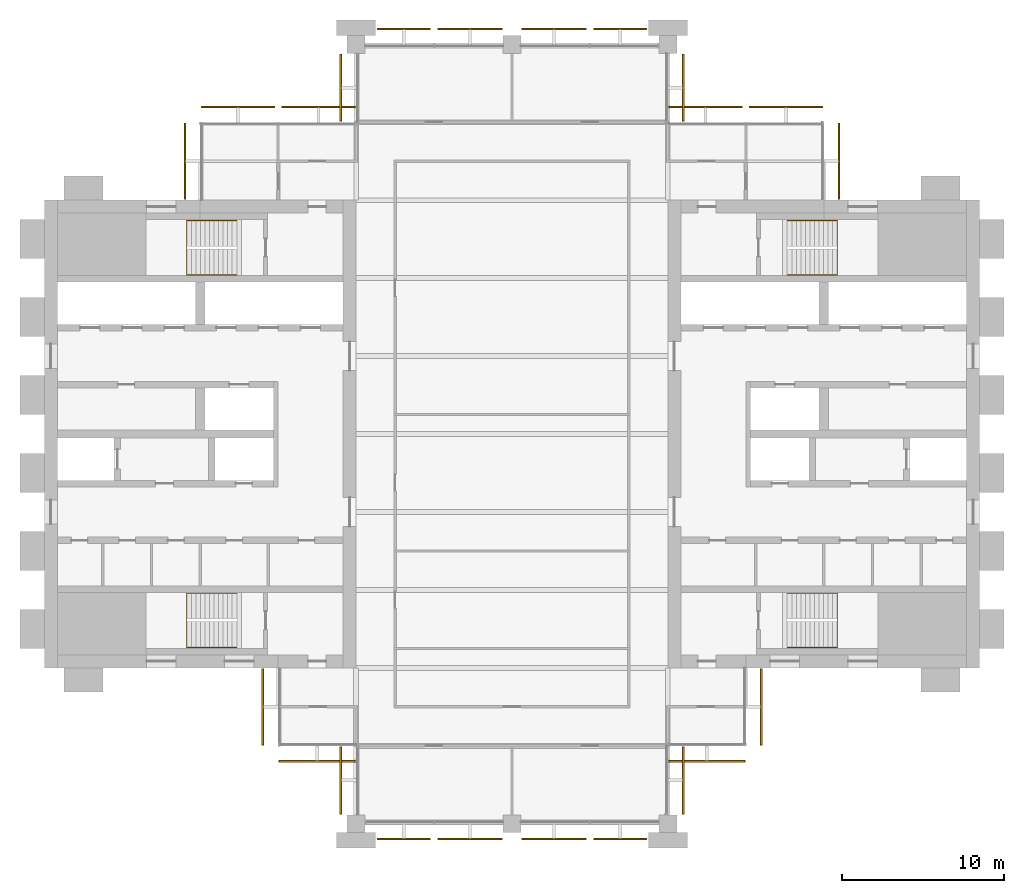
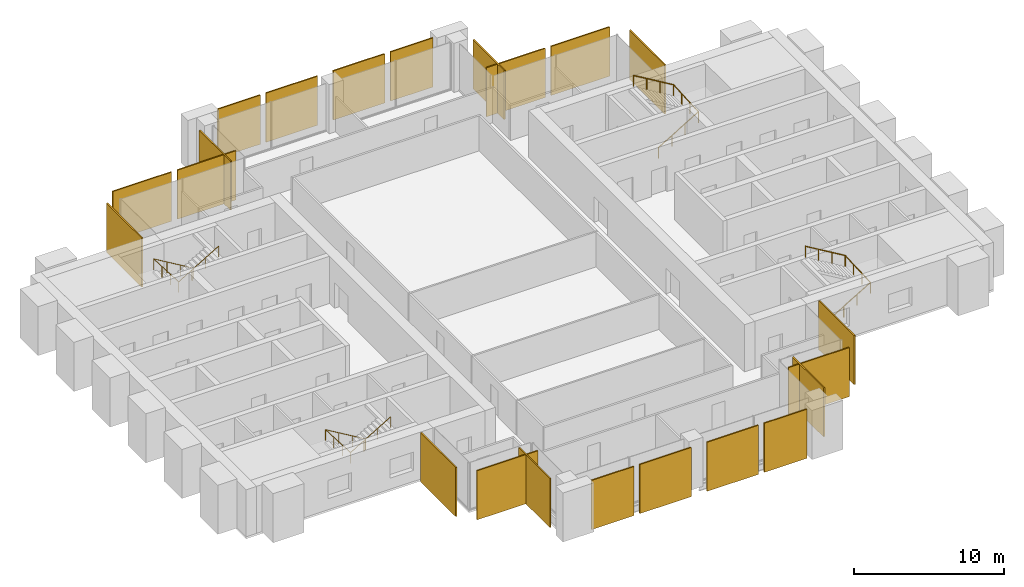
# One storey, part 13 of 13: 22 coverings, 4 railings.
"""IFC4 building model written with IfcOpenShell, lengths in metres."""

from ifc_helpers import new_model, si_unit, direction, frame, origin, origin_2d, place, context, subcontext, project, spatial, polyline, circle, outline, extrude, material, layer, layer_set, type_object, element, save


model = new_model("IFC4")

# Units and contexts
model_context = context("Model", 3, precision=1e-05, world=origin(), true_north=direction((0.0, 1.0)))
body_context = subcontext(model_context, "Body", "Model", "MODEL_VIEW")
ifc_project = project(units=[si_unit("LENGTHUNIT", "METRE"), si_unit("AREAUNIT", "SQUARE_METRE"), si_unit("VOLUMEUNIT", "CUBIC_METRE"), si_unit("PLANEANGLEUNIT", "RADIAN"), si_unit("MASSUNIT", "GRAM", prefix="KILO")], contexts=[model_context])

# Site, building, storey
site_placement = place(None, origin())
site = spatial("IfcSite", under=ifc_project, at=site_placement, CompositionType="ELEMENT")
building_placement = place(site_placement, origin())
building = spatial("IfcBuilding", under=site, at=building_placement, Name="Baori Bourse Tower", CompositionType="ELEMENT")
storey_placement = place(building_placement, frame((0.0, 0.0, 253.199951171875)))
storey = spatial("IfcBuildingStorey", under=building, at=storey_placement, Name="L56", CompositionType="ELEMENT", Elevation=253.199951171875)

# Railings
ifc_material_1 = material(Name="Powder-coated steel balustrade", Category="steel")
railing_type = type_object("IfcRailingType", Name="Core stair handrail", PredefinedType="HANDRAIL", material=ifc_material_1)
railing_1_placement = place(storey_placement, frame((11.85009765625, 14.199951171875, 0.166748046875)))
element("IfcRailing", 1, at=railing_1_placement, inside=storey, type_object=railing_type, Name="L56 ST1 stair handrail 1", PredefinedType="HANDRAIL", context=body_context, shape_type="SweptSolid", body=[
    extrude(circle(Radius=0.02392578125, at=origin_2d()), frame((0.0, 0.0, 0.8759765625), z_axis=(-0.859308565015, 0.0, 0.511457515432), x_axis=(0.0, -1.0, 0.0)), (0.0, 0.0, 1.0), 3.58447265625),
    extrude(circle(Radius=0.02392578125, at=origin_2d()), frame((-3.080078125, 0.0, 2.708984375), z_axis=(0.0, -0.998763387249, 0.04971615724), x_axis=(1.0, 0.0, 0.0)), (0.0, 0.0, 1.0), 3.35400390625),
    extrude(circle(Radius=0.02392578125, at=origin_2d()), frame((-3.080078125, -3.349853515625, 2.8759765625), z_axis=(0.859308565015, 0.0, 0.511457515432), x_axis=(0.0, 1.0, 0.0)), (0.0, 0.0, 1.0), 3.58447265625),
    extrude(circle(Radius=0.02099609375, at=origin_2d()), origin(), (0.0, 0.0, 1.0), 0.851806640625),
    extrude(circle(Radius=0.02099609375, at=origin_2d()), frame((-1.026611328125, 0.0, 0.611083984375)), (0.0, 0.0, 1.0), 0.851806640625),
    extrude(circle(Radius=0.02099609375, at=origin_2d()), frame((-2.053466796875, 0.0, 1.22216796875)), (0.0, 0.0, 1.0), 0.851806640625),
    extrude(circle(Radius=0.02099609375, at=origin_2d()), frame((-3.080078125, 0.0, 1.833251953125)), (0.0, 0.0, 1.0), 0.851806640625),
    extrude(circle(Radius=0.02099609375, at=origin_2d()), frame((-3.080078125, -1.11669921875, 1.888916015625)), (0.0, 0.0, 1.0), 0.851806640625),
    extrude(circle(Radius=0.02099609375, at=origin_2d()), frame((-3.080078125, -2.233154296875, 1.9443359375)), (0.0, 0.0, 1.0), 0.851806640625),
    extrude(circle(Radius=0.02099609375, at=origin_2d()), frame((-3.080078125, -3.349853515625, 2.0)), (0.0, 0.0, 1.0), 0.851806640625),
    extrude(circle(Radius=0.02099609375, at=origin_2d()), frame((-2.053466796875, -3.349853515625, 2.611083984375)), (0.0, 0.0, 1.0), 0.851806640625),
    extrude(circle(Radius=0.02099609375, at=origin_2d()), frame((-1.026611328125, -3.349853515625, 3.22216796875)), (0.0, 0.0, 1.0), 0.851806640625),
    extrude(circle(Radius=0.02099609375, at=origin_2d()), frame((0.0, -3.349853515625, 3.833251953125)), (0.0, 0.0, 1.0), 0.851806640625),
])
railing_2_placement = place(storey_placement, frame((11.85009765625, 37.14990234375, 0.166748046875)))
element("IfcRailing", 2, at=railing_2_placement, inside=storey, type_object=railing_type, Name="L56 ST2 stair handrail 1", PredefinedType="HANDRAIL", context=body_context, shape_type="SweptSolid", body=[
    extrude(circle(Radius=0.02392578125, at=origin_2d()), frame((0.0, 0.0, 0.8759765625), z_axis=(-0.859308565015, 0.0, 0.511457515432), x_axis=(0.0, -1.0, 0.0)), (0.0, 0.0, 1.0), 3.58447265625),
    extrude(circle(Radius=0.02392578125, at=origin_2d()), frame((-3.080078125, 0.0, 2.708984375), z_axis=(0.0, -0.998763387249, 0.04971615724), x_axis=(1.0, 0.0, 0.0)), (0.0, 0.0, 1.0), 3.35400390625),
    extrude(circle(Radius=0.02392578125, at=origin_2d()), frame((-3.080078125, -3.349853515625, 2.8759765625), z_axis=(0.859308565015, 0.0, 0.511457515432), x_axis=(0.0, 1.0, 0.0)), (0.0, 0.0, 1.0), 3.58447265625),
    extrude(circle(Radius=0.02099609375, at=origin_2d()), origin(), (0.0, 0.0, 1.0), 0.851806640625),
    extrude(circle(Radius=0.02099609375, at=origin_2d()), frame((-1.026611328125, 0.0, 0.611083984375)), (0.0, 0.0, 1.0), 0.851806640625),
    extrude(circle(Radius=0.02099609375, at=origin_2d()), frame((-2.053466796875, 0.0, 1.22216796875)), (0.0, 0.0, 1.0), 0.851806640625),
    extrude(circle(Radius=0.02099609375, at=origin_2d()), frame((-3.080078125, 0.0, 1.833251953125)), (0.0, 0.0, 1.0), 0.851806640625),
    extrude(circle(Radius=0.02099609375, at=origin_2d()), frame((-3.080078125, -1.11669921875, 1.888916015625)), (0.0, 0.0, 1.0), 0.851806640625),
    extrude(circle(Radius=0.02099609375, at=origin_2d()), frame((-3.080078125, -2.233154296875, 1.9443359375)), (0.0, 0.0, 1.0), 0.851806640625),
    extrude(circle(Radius=0.02099609375, at=origin_2d()), frame((-3.080078125, -3.349853515625, 2.0)), (0.0, 0.0, 1.0), 0.851806640625),
    extrude(circle(Radius=0.02099609375, at=origin_2d()), frame((-2.053466796875, -3.349853515625, 2.611083984375)), (0.0, 0.0, 1.0), 0.851806640625),
    extrude(circle(Radius=0.02099609375, at=origin_2d()), frame((-1.026611328125, -3.349853515625, 3.22216796875)), (0.0, 0.0, 1.0), 0.851806640625),
    extrude(circle(Radius=0.02099609375, at=origin_2d()), frame((0.0, -3.349853515625, 3.833251953125)), (0.0, 0.0, 1.0), 0.851806640625),
])
railing_3_placement = place(storey_placement, frame((45.75, 10.85009765625, 0.166748046875)))
element("IfcRailing", 3, at=railing_3_placement, inside=storey, type_object=railing_type, Name="L56 ST3 stair handrail 1", PredefinedType="HANDRAIL", context=body_context, shape_type="SweptSolid", body=[
    extrude(circle(Radius=0.02392578125, at=origin_2d()), frame((0.0, 0.0, 0.8759765625), z_axis=(0.859308565015, 0.0, 0.511457515432), x_axis=(0.0, 1.0, 0.0)), (0.0, 0.0, 1.0), 3.58447265625),
    extrude(circle(Radius=0.02392578125, at=origin_2d()), frame((3.080078125, 0.0, 2.708984375), z_axis=(0.0, 0.998763387249, 0.04971615724), x_axis=(-1.0, 0.0, 0.0)), (0.0, 0.0, 1.0), 3.35400390625),
    extrude(circle(Radius=0.02392578125, at=origin_2d()), frame((3.080078125, 3.349853515625, 2.8759765625), z_axis=(-0.859308565015, 0.0, 0.511457515432), x_axis=(0.0, -1.0, 0.0)), (0.0, 0.0, 1.0), 3.58447265625),
    extrude(circle(Radius=0.02099609375, at=origin_2d()), origin(), (0.0, 0.0, 1.0), 0.851806640625),
    extrude(circle(Radius=0.02099609375, at=origin_2d()), frame((1.026611328125, 0.0, 0.611083984375)), (0.0, 0.0, 1.0), 0.851806640625),
    extrude(circle(Radius=0.02099609375, at=origin_2d()), frame((2.053466796875, 0.0, 1.22216796875)), (0.0, 0.0, 1.0), 0.851806640625),
    extrude(circle(Radius=0.02099609375, at=origin_2d()), frame((3.080078125, 0.0, 1.833251953125)), (0.0, 0.0, 1.0), 0.851806640625),
    extrude(circle(Radius=0.02099609375, at=origin_2d()), frame((3.080078125, 1.11669921875, 1.888916015625)), (0.0, 0.0, 1.0), 0.851806640625),
    extrude(circle(Radius=0.02099609375, at=origin_2d()), frame((3.080078125, 2.233154296875, 1.9443359375)), (0.0, 0.0, 1.0), 0.851806640625),
    extrude(circle(Radius=0.02099609375, at=origin_2d()), frame((3.080078125, 3.349853515625, 2.0)), (0.0, 0.0, 1.0), 0.851806640625),
    extrude(circle(Radius=0.02099609375, at=origin_2d()), frame((2.053466796875, 3.349853515625, 2.611083984375)), (0.0, 0.0, 1.0), 0.851806640625),
    extrude(circle(Radius=0.02099609375, at=origin_2d()), frame((1.026611328125, 3.349853515625, 3.22216796875)), (0.0, 0.0, 1.0), 0.851806640625),
    extrude(circle(Radius=0.02099609375, at=origin_2d()), frame((0.0, 3.349853515625, 3.833251953125)), (0.0, 0.0, 1.0), 0.851806640625),
])
railing_4_placement = place(storey_placement, frame((45.75, 33.800048828125, 0.166748046875)))
element("IfcRailing", 4, at=railing_4_placement, inside=storey, type_object=railing_type, Name="L56 ST4 stair handrail 1", PredefinedType="HANDRAIL", context=body_context, shape_type="SweptSolid", body=[
    extrude(circle(Radius=0.02392578125, at=origin_2d()), frame((0.0, 0.0, 0.8759765625), z_axis=(0.859308565015, 0.0, 0.511457515432), x_axis=(0.0, 1.0, 0.0)), (0.0, 0.0, 1.0), 3.58447265625),
    extrude(circle(Radius=0.02392578125, at=origin_2d()), frame((3.080078125, 0.0, 2.708984375), z_axis=(0.0, 0.998763387249, 0.04971615724), x_axis=(-1.0, 0.0, 0.0)), (0.0, 0.0, 1.0), 3.35400390625),
    extrude(circle(Radius=0.02392578125, at=origin_2d()), frame((3.080078125, 3.349853515625, 2.8759765625), z_axis=(-0.859308565015, 0.0, 0.511457515432), x_axis=(0.0, -1.0, 0.0)), (0.0, 0.0, 1.0), 3.58447265625),
    extrude(circle(Radius=0.02099609375, at=origin_2d()), origin(), (0.0, 0.0, 1.0), 0.851806640625),
    extrude(circle(Radius=0.02099609375, at=origin_2d()), frame((1.026611328125, 0.0, 0.611083984375)), (0.0, 0.0, 1.0), 0.851806640625),
    extrude(circle(Radius=0.02099609375, at=origin_2d()), frame((2.053466796875, 0.0, 1.22216796875)), (0.0, 0.0, 1.0), 0.851806640625),
    extrude(circle(Radius=0.02099609375, at=origin_2d()), frame((3.080078125, 0.0, 1.833251953125)), (0.0, 0.0, 1.0), 0.851806640625),
    extrude(circle(Radius=0.02099609375, at=origin_2d()), frame((3.080078125, 1.11669921875, 1.888916015625)), (0.0, 0.0, 1.0), 0.851806640625),
    extrude(circle(Radius=0.02099609375, at=origin_2d()), frame((3.080078125, 2.233154296875, 1.9443359375)), (0.0, 0.0, 1.0), 0.851806640625),
    extrude(circle(Radius=0.02099609375, at=origin_2d()), frame((3.080078125, 3.349853515625, 2.0)), (0.0, 0.0, 1.0), 0.851806640625),
    extrude(circle(Radius=0.02099609375, at=origin_2d()), frame((2.053466796875, 3.349853515625, 2.611083984375)), (0.0, 0.0, 1.0), 0.851806640625),
    extrude(circle(Radius=0.02099609375, at=origin_2d()), frame((1.026611328125, 3.349853515625, 3.22216796875)), (0.0, 0.0, 1.0), 0.851806640625),
    extrude(circle(Radius=0.02099609375, at=origin_2d()), frame((0.0, 3.349853515625, 3.833251953125)), (0.0, 0.0, 1.0), 0.851806640625),
])

# Coverings
ifc_material_2 = material(Name="Pale anodised aluminium", Category="aluminium")
ifc_layer = layer(ifc_material_2, 0.10009765625)
ifc_layer_set = layer_set([ifc_layer], Name="OS3 Outer skin screen panel")
covering_type = type_object("IfcCoveringType", Name="OS3 Outer skin screen panel", PredefinedType="CLADDING", material=ifc_layer_set)
covering_1_placement = place(storey_placement, frame((0.0, 0.0, -0.159912109375)))
element("IfcCovering", 5, at=covering_1_placement, inside=storey, type_object=covering_type, Name="Outer skin screen L56 1", PredefinedType="CLADDING", context=body_context, shape_type="SweptSolid", body=[
    extrude(outline(polyline([(48.89990234375, 43.14990234375), (48.89990234375, 38.449951171875), (49.0, 38.449951171875), (49.0, 43.14990234375), (48.89990234375, 43.14990234375)])), origin(), (0.0, 0.0, 1.0), 4.0),
])
covering_2_placement = place(storey_placement, frame((0.0, 0.0, -0.159912109375)))
element("IfcCovering", 6, at=covering_2_placement, inside=storey, type_object=covering_type, Name="Outer skin screen L56 2", PredefinedType="CLADDING", context=body_context, shape_type="SweptSolid", body=[
    extrude(outline(polyline([(43.425048828125, 44.10009765625), (47.949951171875, 44.10009765625), (47.949951171875, 44.199951171875), (43.425048828125, 44.199951171875), (43.425048828125, 44.10009765625)])), origin(), (0.0, 0.0, 1.0), 4.0),
])
covering_3_placement = place(storey_placement, frame((0.0, 0.0, -0.159912109375)))
element("IfcCovering", 7, at=covering_3_placement, inside=storey, type_object=covering_type, Name="Outer skin screen L56 3", PredefinedType="CLADDING", context=body_context, shape_type="SweptSolid", body=[
    extrude(outline(polyline([(38.449951171875, 44.10009765625), (42.97509765625, 44.10009765625), (42.97509765625, 44.199951171875), (38.449951171875, 44.199951171875), (38.449951171875, 44.10009765625)])), origin(), (0.0, 0.0, 1.0), 4.0),
])
covering_4_placement = place(storey_placement, frame((0.0, 0.0, -0.159912109375)))
element("IfcCovering", 8, at=covering_4_placement, inside=storey, type_object=covering_type, Name="Outer skin screen L56 4", PredefinedType="CLADDING", context=body_context, shape_type="SweptSolid", body=[
    extrude(outline(polyline([(39.300048828125, 47.39990234375), (39.300048828125, 43.25), (39.39990234375, 43.25), (39.39990234375, 47.39990234375), (39.300048828125, 47.39990234375)])), origin(), (0.0, 0.0, 1.0), 4.0),
])
covering_5_placement = place(storey_placement, frame((0.0, 0.0, -0.159912109375)))
element("IfcCovering", 9, at=covering_5_placement, inside=storey, type_object=covering_type, Name="Outer skin screen L56 5", PredefinedType="CLADDING", context=body_context, shape_type="SweptSolid", body=[
    extrude(outline(polyline([(33.824951171875, 48.89990234375), (37.10009765625, 48.89990234375), (37.10009765625, 49.0), (33.824951171875, 49.0), (33.824951171875, 48.89990234375)])), origin(), (0.0, 0.0, 1.0), 4.0),
])
covering_6_placement = place(storey_placement, frame((0.0, 0.0, -0.159912109375)))
element("IfcCovering", 10, at=covering_6_placement, inside=storey, type_object=covering_type, Name="Outer skin screen L56 6", PredefinedType="CLADDING", context=body_context, shape_type="SweptSolid", body=[
    extrude(outline(polyline([(29.39990234375, 48.89990234375), (33.375, 48.89990234375), (33.375, 49.0), (29.39990234375, 49.0), (29.39990234375, 48.89990234375)])), origin(), (0.0, 0.0, 1.0), 4.0),
])
covering_7_placement = place(storey_placement, frame((0.0, 0.0, -0.159912109375)))
element("IfcCovering", 11, at=covering_7_placement, inside=storey, type_object=covering_type, Name="Outer skin screen L56 7", PredefinedType="CLADDING", context=body_context, shape_type="SweptSolid", body=[
    extrude(outline(polyline([(24.22509765625, 48.89990234375), (28.199951171875, 48.89990234375), (28.199951171875, 49.0), (24.22509765625, 49.0), (24.22509765625, 48.89990234375)])), origin(), (0.0, 0.0, 1.0), 4.0),
])
covering_8_placement = place(storey_placement, frame((0.0, 0.0, -0.159912109375)))
element("IfcCovering", 12, at=covering_8_placement, inside=storey, type_object=covering_type, Name="Outer skin screen L56 8", PredefinedType="CLADDING", context=body_context, shape_type="SweptSolid", body=[
    extrude(outline(polyline([(20.5, 48.89990234375), (23.77490234375, 48.89990234375), (23.77490234375, 49.0), (20.5, 49.0), (20.5, 48.89990234375)])), origin(), (0.0, 0.0, 1.0), 4.0),
])
covering_9_placement = place(storey_placement, frame((0.0, 0.0, -0.159912109375)))
element("IfcCovering", 13, at=covering_9_placement, inside=storey, type_object=covering_type, Name="Outer skin screen L56 9", PredefinedType="CLADDING", context=body_context, shape_type="SweptSolid", body=[
    extrude(outline(polyline([(18.300048828125, 43.25), (18.300048828125, 47.39990234375), (18.199951171875, 47.39990234375), (18.199951171875, 43.25), (18.300048828125, 43.25)])), origin(), (0.0, 0.0, 1.0), 4.0),
])
covering_10_placement = place(storey_placement, frame((0.0, 0.0, -0.159912109375)))
element("IfcCovering", 14, at=covering_10_placement, inside=storey, type_object=covering_type, Name="Outer skin screen L56 10", PredefinedType="CLADDING", context=body_context, shape_type="SweptSolid", body=[
    extrude(outline(polyline([(14.625, 44.10009765625), (19.14990234375, 44.10009765625), (19.14990234375, 44.199951171875), (14.625, 44.199951171875), (14.625, 44.10009765625)])), origin(), (0.0, 0.0, 1.0), 4.0),
])
covering_11_placement = place(storey_placement, frame((0.0, 0.0, -0.159912109375)))
element("IfcCovering", 15, at=covering_11_placement, inside=storey, type_object=covering_type, Name="Outer skin screen L56 11", PredefinedType="CLADDING", context=body_context, shape_type="SweptSolid", body=[
    extrude(outline(polyline([(9.64990234375, 44.10009765625), (14.175048828125, 44.10009765625), (14.175048828125, 44.199951171875), (9.64990234375, 44.199951171875), (9.64990234375, 44.10009765625)])), origin(), (0.0, 0.0, 1.0), 4.0),
])
covering_12_placement = place(storey_placement, frame((0.0, 0.0, -0.159912109375)))
element("IfcCovering", 16, at=covering_12_placement, inside=storey, type_object=covering_type, Name="Outer skin screen L56 12", PredefinedType="CLADDING", context=body_context, shape_type="SweptSolid", body=[
    extrude(outline(polyline([(8.699951171875, 38.449951171875), (8.699951171875, 43.14990234375), (8.60009765625, 43.14990234375), (8.60009765625, 38.449951171875), (8.699951171875, 38.449951171875)])), origin(), (0.0, 0.0, 1.0), 4.0),
])
covering_13_placement = place(storey_placement, frame((0.0, 0.0, -0.159912109375)))
element("IfcCovering", 17, at=covering_13_placement, inside=storey, type_object=covering_type, Name="Outer skin screen L56 13", PredefinedType="CLADDING", context=body_context, shape_type="SweptSolid", body=[
    extrude(outline(polyline([(13.5, 4.85009765625), (13.5, 9.550048828125), (13.39990234375, 9.550048828125), (13.39990234375, 4.85009765625), (13.5, 4.85009765625)])), origin(), (0.0, 0.0, 1.0), 4.0),
])
covering_14_placement = place(storey_placement, frame((0.0, 0.0, -0.159912109375)))
element("IfcCovering", 18, at=covering_14_placement, inside=storey, type_object=covering_type, Name="Outer skin screen L56 14", PredefinedType="CLADDING", context=body_context, shape_type="SweptSolid", body=[
    extrude(outline(polyline([(19.14990234375, 3.89990234375), (14.449951171875, 3.89990234375), (14.449951171875, 3.800048828125), (19.14990234375, 3.800048828125), (19.14990234375, 3.89990234375)])), origin(), (0.0, 0.0, 1.0), 4.0),
])
covering_15_placement = place(storey_placement, frame((0.0, 0.0, -0.159912109375)))
element("IfcCovering", 19, at=covering_15_placement, inside=storey, type_object=covering_type, Name="Outer skin screen L56 15", PredefinedType="CLADDING", context=body_context, shape_type="SweptSolid", body=[
    extrude(outline(polyline([(18.300048828125, 0.60009765625), (18.300048828125, 4.75), (18.199951171875, 4.75), (18.199951171875, 0.60009765625), (18.300048828125, 0.60009765625)])), origin(), (0.0, 0.0, 1.0), 4.0),
])
covering_16_placement = place(storey_placement, frame((0.0, 0.0, -0.159912109375)))
element("IfcCovering", 20, at=covering_16_placement, inside=storey, type_object=covering_type, Name="Outer skin screen L56 16", PredefinedType="CLADDING", context=body_context, shape_type="SweptSolid", body=[
    extrude(outline(polyline([(23.77490234375, -0.89990234375), (20.5, -0.89990234375), (20.5, -1.0), (23.77490234375, -1.0), (23.77490234375, -0.89990234375)])), origin(), (0.0, 0.0, 1.0), 4.0),
])
covering_17_placement = place(storey_placement, frame((0.0, 0.0, -0.159912109375)))
element("IfcCovering", 21, at=covering_17_placement, inside=storey, type_object=covering_type, Name="Outer skin screen L56 17", PredefinedType="CLADDING", context=body_context, shape_type="SweptSolid", body=[
    extrude(outline(polyline([(28.199951171875, -0.89990234375), (24.22509765625, -0.89990234375), (24.22509765625, -1.0), (28.199951171875, -1.0), (28.199951171875, -0.89990234375)])), origin(), (0.0, 0.0, 1.0), 4.0),
])
covering_18_placement = place(storey_placement, frame((0.0, 0.0, -0.159912109375)))
element("IfcCovering", 22, at=covering_18_placement, inside=storey, type_object=covering_type, Name="Outer skin screen L56 18", PredefinedType="CLADDING", context=body_context, shape_type="SweptSolid", body=[
    extrude(outline(polyline([(33.375, -0.89990234375), (29.39990234375, -0.89990234375), (29.39990234375, -1.0), (33.375, -1.0), (33.375, -0.89990234375)])), origin(), (0.0, 0.0, 1.0), 4.0),
])
covering_19_placement = place(storey_placement, frame((0.0, 0.0, -0.159912109375)))
element("IfcCovering", 23, at=covering_19_placement, inside=storey, type_object=covering_type, Name="Outer skin screen L56 19", PredefinedType="CLADDING", context=body_context, shape_type="SweptSolid", body=[
    extrude(outline(polyline([(37.10009765625, -0.89990234375), (33.824951171875, -0.89990234375), (33.824951171875, -1.0), (37.10009765625, -1.0), (37.10009765625, -0.89990234375)])), origin(), (0.0, 0.0, 1.0), 4.0),
])
covering_20_placement = place(storey_placement, frame((0.0, 0.0, -0.159912109375)))
element("IfcCovering", 24, at=covering_20_placement, inside=storey, type_object=covering_type, Name="Outer skin screen L56 20", PredefinedType="CLADDING", context=body_context, shape_type="SweptSolid", body=[
    extrude(outline(polyline([(39.300048828125, 4.75), (39.300048828125, 0.60009765625), (39.39990234375, 0.60009765625), (39.39990234375, 4.75), (39.300048828125, 4.75)])), origin(), (0.0, 0.0, 1.0), 4.0),
])
covering_21_placement = place(storey_placement, frame((0.0, 0.0, -0.159912109375)))
element("IfcCovering", 25, at=covering_21_placement, inside=storey, type_object=covering_type, Name="Outer skin screen L56 21", PredefinedType="CLADDING", context=body_context, shape_type="SweptSolid", body=[
    extrude(outline(polyline([(43.14990234375, 3.89990234375), (38.449951171875, 3.89990234375), (38.449951171875, 3.800048828125), (43.14990234375, 3.800048828125), (43.14990234375, 3.89990234375)])), origin(), (0.0, 0.0, 1.0), 4.0),
])
covering_22_placement = place(storey_placement, frame((0.0, 0.0, -0.159912109375)))
element("IfcCovering", 26, at=covering_22_placement, inside=storey, type_object=covering_type, Name="Outer skin screen L56 22", PredefinedType="CLADDING", context=body_context, shape_type="SweptSolid", body=[
    extrude(outline(polyline([(44.10009765625, 9.550048828125), (44.10009765625, 4.85009765625), (44.199951171875, 4.85009765625), (44.199951171875, 9.550048828125), (44.10009765625, 9.550048828125)])), origin(), (0.0, 0.0, 1.0), 4.0),
])

save(model, "model.ifc")
